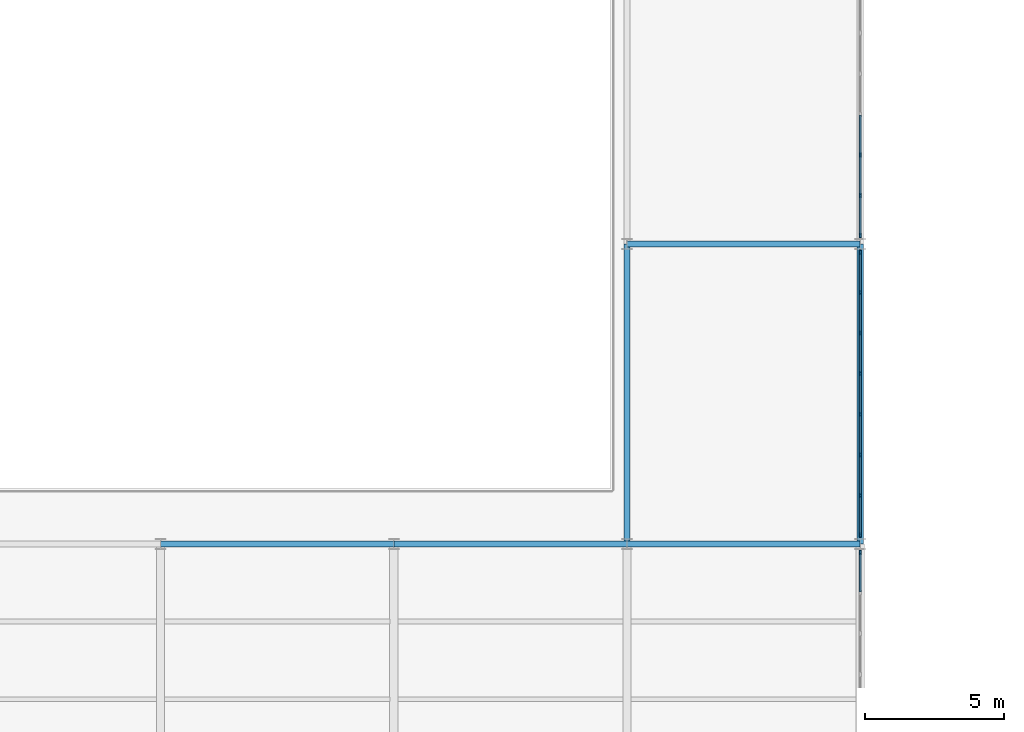
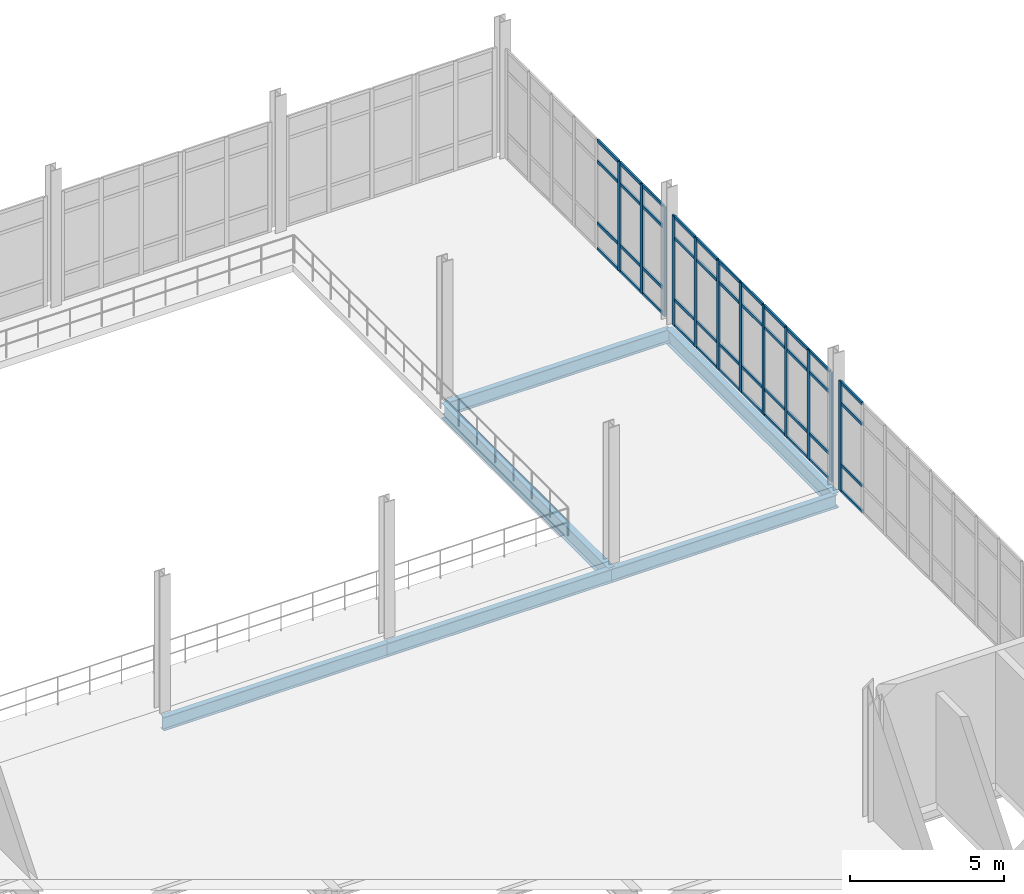
# One storey, part 58 of 111: 56 members, 6 beams, 3 elements without a shape of their own.
"""IFC4 building model written with IfcOpenShell, lengths in metres."""

from ifc_helpers import new_model, si_unit, direction, frame, origin, origin_2d, place, context, subcontext, project, spatial, rectangle, i_section, extrude, material, layer, layer_set, material_profile, profile_set, type_object, element, aggregate, save


model = new_model("IFC4")

# Units and contexts
model_context = context("Model", 3, precision=1e-05, world=origin(), true_north=direction((0.0, 1.0)))
body_context = subcontext(model_context, "Body", "Model", "MODEL_VIEW")
ifc_project = project(units=[si_unit("LENGTHUNIT", "METRE"), si_unit("AREAUNIT", "SQUARE_METRE"), si_unit("VOLUMEUNIT", "CUBIC_METRE"), si_unit("PLANEANGLEUNIT", "RADIAN"), si_unit("MASSUNIT", "GRAM", prefix="KILO"), si_unit("THERMODYNAMICTEMPERATUREUNIT", "KELVIN"), si_unit("POWERUNIT", "WATT")], contexts=[model_context])

# Site, building, storey
site_placement = place(None, origin())
site = spatial("IfcSite", under=ifc_project, at=site_placement, CompositionType="ELEMENT")
building_placement = place(site_placement, origin())
building = spatial("IfcBuilding", under=site, at=building_placement, Name="Tembeka Court Mobility Hub", CompositionType="ELEMENT")
storey_placement = place(building_placement, origin())
storey = spatial("IfcBuildingStorey", under=building, at=storey_placement, Name="L00", CompositionType="ELEMENT", Elevation=0.0)

# Beams
ifc_material_1 = material(Name="Steel S355", Category="steel")
ifc_material_profile_1 = material_profile(ifc_material_1, i_section(OverallWidth=0.22900390625, OverallDepth=0.612060546875, WebThickness=0.011962890625, FlangeThickness=0.01953125, FilletRadius=0.0126953125, at=origin_2d()), Name="UKB 610x229x125")
ifc_profile_set_1 = profile_set([ifc_material_profile_1], Name="Steel S355")
beam_type_1 = type_object("IfcBeamType", Name="BM-G02", PredefinedType="USERDEFINED", material=ifc_profile_set_1)
for number, where, z_axis, x_axis, name in (
    (1, (84.0, 97.199951171875, -0.5859375), (0.0, 1.0, 0.0), (-1.0, 0.0, 0.0), "Beam G02 (BM-L00-Y0256)"),
    (2, (92.39990234375, 97.199951171875, -0.5859375), (0.0, 1.0, 0.0), (-1.0, 0.0, 0.0), "Beam G02 (BM-L00-Y0267)"),
):
    element("IfcBeam", number, at=place(storey_placement, frame(where, z_axis=z_axis, x_axis=x_axis)), inside=storey, type_object=beam_type_1, Name=name, ObjectType="GIRDER", PredefinedType="USERDEFINED", context=body_context, shape_type="SweptSolid", body=[
        extrude(i_section(OverallWidth=0.22900390625, OverallDepth=0.612060546875, WebThickness=0.011962890625, FlangeThickness=0.01953125, FilletRadius=0.0126953125, at=origin_2d()), origin(), (0.0, 0.0, 1.0), 10.800048828125),
    ])
ifc_material_profile_2 = material_profile(ifc_material_1, i_section(OverallWidth=0.2099609375, OverallDepth=0.537109375, WebThickness=0.0107421875, FlangeThickness=0.017333984375, FilletRadius=0.0126953125, at=origin_2d()), Name="UKB 533x210x101")
ifc_profile_set_2 = profile_set([ifc_material_profile_2], Name="Steel S355")
beam_type_2 = type_object("IfcBeamType", Name="BM-G03", PredefinedType="USERDEFINED", material=ifc_profile_set_2)
beam_placement = place(storey_placement, frame((67.199951171875, 97.199951171875, -0.548583984375), z_axis=(1.0, 0.0, 0.0), x_axis=(0.0, 1.0, 0.0)))
element("IfcBeam", 3, at=beam_placement, inside=storey, type_object=beam_type_2, Name="Beam G03 (BM-L00-X0145)", ObjectType="GIRDER", PredefinedType="USERDEFINED", context=body_context, shape_type="SweptSolid", body=[
    extrude(i_section(OverallWidth=0.2099609375, OverallDepth=0.537109375, WebThickness=0.0107421875, FlangeThickness=0.017333984375, FilletRadius=0.0126953125, at=origin_2d()), origin(), (0.0, 0.0, 1.0), 8.400146484375),
])
for number, where, z_axis, x_axis, name in (
    (4, (75.60009765625, 97.199951171875, -0.548583984375), (1.0, 0.0, 0.0), (0.0, 1.0, 0.0), "Beam G03 (BM-L00-X0146)"),
    (5, (84.0, 97.199951171875, -0.548583984375), (1.0, 0.0, 0.0), (0.0, 1.0, 0.0), "Beam G03 (BM-L00-X0147)"),
    (6, (84.0, 108.0, -0.548583984375), (1.0, 0.0, 0.0), (0.0, 1.0, 0.0), "Beam G03 (BM-L00-X0152)"),
):
    element("IfcBeam", number, at=place(storey_placement, frame(where, z_axis=z_axis, x_axis=x_axis)), inside=storey, type_object=beam_type_2, Name=name, ObjectType="GIRDER", PredefinedType="USERDEFINED", context=body_context, shape_type="SweptSolid", body=[
        extrude(i_section(OverallWidth=0.2099609375, OverallDepth=0.537109375, WebThickness=0.0107421875, FlangeThickness=0.017333984375, FilletRadius=0.0126953125, at=origin_2d()), origin(), (0.0, 0.0, 1.0), 8.39990234375),
    ])

# Curtain wall, member
ifc_material_2 = material(Name="Anodised aluminium 6063-T6", Category="aluminium")
ifc_layer_1 = layer(ifc_material_2, 0.159912109375)
ifc_layer_set_1 = layer_set([ifc_layer_1], Name="Anodised aluminium 6063-T6")
curtain_wall_type_1 = type_object("IfcCurtainWallType", Name="CW-SYS19", PredefinedType="USERDEFINED", material=ifc_layer_set_1)
curtain_wall_1_placement = place(storey_placement, origin())
curtain_wall_1 = element("IfcCurtainWall", 7, at=curtain_wall_1_placement, inside=storey, type_object=curtain_wall_type_1, Name="Unitised curtain wall CW19 (CW-L00-030)", ObjectType="UNITISED GLAZING", PredefinedType="USERDEFINED")
ifc_material_profile_3 = material_profile(ifc_material_2, rectangle(XDim=0.06494140625, YDim=0.159912109375, at=origin_2d()), Name="ALU-MUL 65x160")
ifc_profile_set_3 = profile_set([ifc_material_profile_3], Name="Anodised aluminium 6063-T6")
member_type_1 = type_object("IfcMemberType", Name="CW-MUL01", PredefinedType="MULLION", material=ifc_profile_set_3)
member_1_placement = place(storey_placement, frame((92.39990234375, 96.887451171875, 0.0), z_axis=(0.0, 0.0, 1.0), x_axis=(-1.0, 0.0, 0.0)))
member_1 = element("IfcMember", 8, at=member_1_placement, type_object=member_type_1, Name="CW19 mullion 12", PredefinedType="MULLION", context=body_context, shape_type="SweptSolid", body=[
    extrude(rectangle(XDim=0.06494140625, YDim=0.159912109375, at=origin_2d()), origin(), (0.0, 0.0, 1.0), 4.3349609375),
])

# Curtain wall, members
ifc_layer_2 = layer(ifc_material_2, 0.159912109375)
ifc_layer_set_2 = layer_set([ifc_layer_2], Name="Anodised aluminium 6063-T6")
curtain_wall_type_2 = type_object("IfcCurtainWallType", Name="CW-SYS18", PredefinedType="USERDEFINED", material=ifc_layer_set_2)
curtain_wall_2_placement = place(storey_placement, origin())
curtain_wall_2 = element("IfcCurtainWall", 9, at=curtain_wall_2_placement, inside=storey, type_object=curtain_wall_type_2, Name="Unitised curtain wall CW18 (CW-L00-032)", ObjectType="UNITISED GLAZING", PredefinedType="USERDEFINED")
member_2_placement = place(storey_placement, frame((92.39990234375, 97.512451171875, 0.0), z_axis=(0.0, 0.0, 1.0), x_axis=(-1.0, 0.0, 0.0)))
member_2 = element("IfcMember", 10, at=member_2_placement, type_object=member_type_1, Name="CW18 mullion 1", PredefinedType="MULLION", context=body_context, shape_type="SweptSolid", body=[
    extrude(rectangle(XDim=0.06494140625, YDim=0.159912109375, at=origin_2d()), origin(), (0.0, 0.0, 1.0), 4.3349609375),
])
member_3_placement = place(storey_placement, frame((92.39990234375, 98.94287109375, 0.0), z_axis=(0.0, 0.0, 1.0), x_axis=(-1.0, 0.0, 0.0)))
member_3 = element("IfcMember", 11, at=member_3_placement, type_object=member_type_1, Name="CW18 mullion 2", PredefinedType="MULLION", context=body_context, shape_type="SweptSolid", body=[
    extrude(rectangle(XDim=0.06494140625, YDim=0.159912109375, at=origin_2d()), origin(), (0.0, 0.0, 1.0), 4.3349609375),
])
member_4_placement = place(storey_placement, frame((92.39990234375, 100.40576171875, 0.0), z_axis=(0.0, 0.0, 1.0), x_axis=(-1.0, 0.0, 0.0)))
member_4 = element("IfcMember", 12, at=member_4_placement, type_object=member_type_1, Name="CW18 mullion 3", PredefinedType="MULLION", context=body_context, shape_type="SweptSolid", body=[
    extrude(rectangle(XDim=0.06494140625, YDim=0.159912109375, at=origin_2d()), origin(), (0.0, 0.0, 1.0), 4.3349609375),
])
member_5_placement = place(storey_placement, frame((92.39990234375, 101.86865234375, 0.0), z_axis=(0.0, 0.0, 1.0), x_axis=(-1.0, 0.0, 0.0)))
member_5 = element("IfcMember", 13, at=member_5_placement, type_object=member_type_1, Name="CW18 mullion 4", PredefinedType="MULLION", context=body_context, shape_type="SweptSolid", body=[
    extrude(rectangle(XDim=0.06494140625, YDim=0.159912109375, at=origin_2d()), origin(), (0.0, 0.0, 1.0), 4.3349609375),
])
member_6_placement = place(storey_placement, frame((92.39990234375, 103.33154296875, 0.0), z_axis=(0.0, 0.0, 1.0), x_axis=(-1.0, 0.0, 0.0)))
member_6 = element("IfcMember", 14, at=member_6_placement, type_object=member_type_1, Name="CW18 mullion 5", PredefinedType="MULLION", context=body_context, shape_type="SweptSolid", body=[
    extrude(rectangle(XDim=0.06494140625, YDim=0.159912109375, at=origin_2d()), origin(), (0.0, 0.0, 1.0), 4.3349609375),
])
member_7_placement = place(storey_placement, frame((92.39990234375, 104.794189453125, 0.0), z_axis=(0.0, 0.0, 1.0), x_axis=(-1.0, 0.0, 0.0)))
member_7 = element("IfcMember", 15, at=member_7_placement, type_object=member_type_1, Name="CW18 mullion 6", PredefinedType="MULLION", context=body_context, shape_type="SweptSolid", body=[
    extrude(rectangle(XDim=0.06494140625, YDim=0.159912109375, at=origin_2d()), origin(), (0.0, 0.0, 1.0), 4.3349609375),
])
member_8_placement = place(storey_placement, frame((92.39990234375, 106.257080078125, 0.0), z_axis=(0.0, 0.0, 1.0), x_axis=(-1.0, 0.0, 0.0)))
member_8 = element("IfcMember", 16, at=member_8_placement, type_object=member_type_1, Name="CW18 mullion 7", PredefinedType="MULLION", context=body_context, shape_type="SweptSolid", body=[
    extrude(rectangle(XDim=0.06494140625, YDim=0.159912109375, at=origin_2d()), origin(), (0.0, 0.0, 1.0), 4.3349609375),
])
member_9_placement = place(storey_placement, frame((92.39990234375, 107.6875, 0.0), z_axis=(0.0, 0.0, 1.0), x_axis=(-1.0, 0.0, 0.0)))
member_9 = element("IfcMember", 17, at=member_9_placement, type_object=member_type_1, Name="CW18 mullion 8", PredefinedType="MULLION", context=body_context, shape_type="SweptSolid", body=[
    extrude(rectangle(XDim=0.06494140625, YDim=0.159912109375, at=origin_2d()), origin(), (0.0, 0.0, 1.0), 4.3349609375),
])

curtain_wall_3_placement = place(storey_placement, origin())
curtain_wall_3 = element("IfcCurtainWall", 18, at=curtain_wall_3_placement, inside=storey, type_object=curtain_wall_type_2, Name="Unitised curtain wall CW18 (CW-L00-034)", ObjectType="UNITISED GLAZING", PredefinedType="USERDEFINED")
member_10_placement = place(storey_placement, frame((92.39990234375, 108.3125, 0.0), z_axis=(0.0, 0.0, 1.0), x_axis=(-1.0, 0.0, 0.0)))
member_10 = element("IfcMember", 19, at=member_10_placement, type_object=member_type_1, Name="CW18 mullion 1", PredefinedType="MULLION", context=body_context, shape_type="SweptSolid", body=[
    extrude(rectangle(XDim=0.06494140625, YDim=0.159912109375, at=origin_2d()), origin(), (0.0, 0.0, 1.0), 4.3349609375),
])
member_11_placement = place(storey_placement, frame((92.39990234375, 109.742919921875, 0.0), z_axis=(0.0, 0.0, 1.0), x_axis=(-1.0, 0.0, 0.0)))
member_11 = element("IfcMember", 20, at=member_11_placement, type_object=member_type_1, Name="CW18 mullion 2", PredefinedType="MULLION", context=body_context, shape_type="SweptSolid", body=[
    extrude(rectangle(XDim=0.06494140625, YDim=0.159912109375, at=origin_2d()), origin(), (0.0, 0.0, 1.0), 4.3349609375),
])
member_12_placement = place(storey_placement, frame((92.39990234375, 111.205810546875, 0.0), z_axis=(0.0, 0.0, 1.0), x_axis=(-1.0, 0.0, 0.0)))
member_12 = element("IfcMember", 21, at=member_12_placement, type_object=member_type_1, Name="CW18 mullion 3", PredefinedType="MULLION", context=body_context, shape_type="SweptSolid", body=[
    extrude(rectangle(XDim=0.06494140625, YDim=0.159912109375, at=origin_2d()), origin(), (0.0, 0.0, 1.0), 4.3349609375),
])

# Member
ifc_material_profile_4 = material_profile(ifc_material_2, rectangle(XDim=0.06494140625, YDim=0.1201171875, at=origin_2d()), Name="ALU-TRN 65x120")
ifc_profile_set_4 = profile_set([ifc_material_profile_4], Name="Anodised aluminium 6063-T6")
member_type_2 = type_object("IfcMemberType", Name="CW-TRN01", PredefinedType="USERDEFINED", material=ifc_profile_set_4)
member_13_placement = place(storey_placement, frame((92.39990234375, 95.47607421875, 0.032470703125), z_axis=(0.0, 1.0, 0.0), x_axis=(-1.0, 0.0, 0.0)))
member_13 = element("IfcMember", 22, at=member_13_placement, type_object=member_type_2, Name="CW19 transom 11.1", ObjectType="TRANSOM", PredefinedType="USERDEFINED", context=body_context, shape_type="SweptSolid", body=[
    extrude(rectangle(XDim=0.06494140625, YDim=0.1201171875, at=origin_2d()), origin(), (0.0, 0.0, 1.0), 1.37890625),
])

member_14_placement = place(storey_placement, frame((92.39990234375, 95.47607421875, 1.050048828125), z_axis=(0.0, 1.0, 0.0), x_axis=(-1.0, 0.0, 0.0)))
member_14 = element("IfcMember", 23, at=member_14_placement, type_object=member_type_2, Name="CW19 transom 11.2", ObjectType="TRANSOM", PredefinedType="USERDEFINED", context=body_context, shape_type="SweptSolid", body=[
    extrude(rectangle(XDim=0.06494140625, YDim=0.1201171875, at=origin_2d()), origin(), (0.0, 0.0, 1.0), 1.37890625),
])

member_15_placement = place(storey_placement, frame((92.39990234375, 95.47607421875, 3.485107421875), z_axis=(0.0, 1.0, 0.0), x_axis=(-1.0, 0.0, 0.0)))
member_15 = element("IfcMember", 24, at=member_15_placement, type_object=member_type_2, Name="CW19 transom 11.3", ObjectType="TRANSOM", PredefinedType="USERDEFINED", context=body_context, shape_type="SweptSolid", body=[
    extrude(rectangle(XDim=0.06494140625, YDim=0.1201171875, at=origin_2d()), origin(), (0.0, 0.0, 1.0), 1.37890625),
])

member_16_placement = place(storey_placement, frame((92.39990234375, 95.47607421875, 4.302490234375), z_axis=(0.0, 1.0, 0.0), x_axis=(-1.0, 0.0, 0.0)))
member_16 = element("IfcMember", 25, at=member_16_placement, type_object=member_type_2, Name="CW19 transom 11.4", ObjectType="TRANSOM", PredefinedType="USERDEFINED", context=body_context, shape_type="SweptSolid", body=[
    extrude(rectangle(XDim=0.06494140625, YDim=0.1201171875, at=origin_2d()), origin(), (0.0, 0.0, 1.0), 1.37890625),
])

aggregate(curtain_wall_1, [member_1, member_13, member_14, member_15, member_16])

member_17_placement = place(storey_placement, frame((92.39990234375, 97.544921875, 0.032470703125), z_axis=(0.0, 1.0, 0.0), x_axis=(-1.0, 0.0, 0.0)))
member_17 = element("IfcMember", 26, at=member_17_placement, type_object=member_type_2, Name="CW18 transom 1.1", ObjectType="TRANSOM", PredefinedType="USERDEFINED", context=body_context, shape_type="SweptSolid", body=[
    extrude(rectangle(XDim=0.06494140625, YDim=0.1201171875, at=origin_2d()), origin(), (0.0, 0.0, 1.0), 1.365478515625),
])

member_18_placement = place(storey_placement, frame((92.39990234375, 97.544921875, 1.050048828125), z_axis=(0.0, 1.0, 0.0), x_axis=(-1.0, 0.0, 0.0)))
member_18 = element("IfcMember", 27, at=member_18_placement, type_object=member_type_2, Name="CW18 transom 1.2", ObjectType="TRANSOM", PredefinedType="USERDEFINED", context=body_context, shape_type="SweptSolid", body=[
    extrude(rectangle(XDim=0.06494140625, YDim=0.1201171875, at=origin_2d()), origin(), (0.0, 0.0, 1.0), 1.365478515625),
])

member_19_placement = place(storey_placement, frame((92.39990234375, 97.544921875, 3.485107421875), z_axis=(0.0, 1.0, 0.0), x_axis=(-1.0, 0.0, 0.0)))
member_19 = element("IfcMember", 28, at=member_19_placement, type_object=member_type_2, Name="CW18 transom 1.3", ObjectType="TRANSOM", PredefinedType="USERDEFINED", context=body_context, shape_type="SweptSolid", body=[
    extrude(rectangle(XDim=0.06494140625, YDim=0.1201171875, at=origin_2d()), origin(), (0.0, 0.0, 1.0), 1.365478515625),
])

member_20_placement = place(storey_placement, frame((92.39990234375, 97.544921875, 4.302490234375), z_axis=(0.0, 1.0, 0.0), x_axis=(-1.0, 0.0, 0.0)))
member_20 = element("IfcMember", 29, at=member_20_placement, type_object=member_type_2, Name="CW18 transom 1.4", ObjectType="TRANSOM", PredefinedType="USERDEFINED", context=body_context, shape_type="SweptSolid", body=[
    extrude(rectangle(XDim=0.06494140625, YDim=0.1201171875, at=origin_2d()), origin(), (0.0, 0.0, 1.0), 1.365478515625),
])

member_21_placement = place(storey_placement, frame((92.39990234375, 98.975341796875, 0.032470703125), z_axis=(0.0, 1.0, 0.0), x_axis=(-1.0, 0.0, 0.0)))
member_21 = element("IfcMember", 30, at=member_21_placement, type_object=member_type_2, Name="CW18 transom 2.1", ObjectType="TRANSOM", PredefinedType="USERDEFINED", context=body_context, shape_type="SweptSolid", body=[
    extrude(rectangle(XDim=0.06494140625, YDim=0.1201171875, at=origin_2d()), origin(), (0.0, 0.0, 1.0), 1.39794921875),
])

member_22_placement = place(storey_placement, frame((92.39990234375, 98.975341796875, 1.050048828125), z_axis=(0.0, 1.0, 0.0), x_axis=(-1.0, 0.0, 0.0)))
member_22 = element("IfcMember", 31, at=member_22_placement, type_object=member_type_2, Name="CW18 transom 2.2", ObjectType="TRANSOM", PredefinedType="USERDEFINED", context=body_context, shape_type="SweptSolid", body=[
    extrude(rectangle(XDim=0.06494140625, YDim=0.1201171875, at=origin_2d()), origin(), (0.0, 0.0, 1.0), 1.39794921875),
])

member_23_placement = place(storey_placement, frame((92.39990234375, 98.975341796875, 3.485107421875), z_axis=(0.0, 1.0, 0.0), x_axis=(-1.0, 0.0, 0.0)))
member_23 = element("IfcMember", 32, at=member_23_placement, type_object=member_type_2, Name="CW18 transom 2.3", ObjectType="TRANSOM", PredefinedType="USERDEFINED", context=body_context, shape_type="SweptSolid", body=[
    extrude(rectangle(XDim=0.06494140625, YDim=0.1201171875, at=origin_2d()), origin(), (0.0, 0.0, 1.0), 1.39794921875),
])

member_24_placement = place(storey_placement, frame((92.39990234375, 98.975341796875, 4.302490234375), z_axis=(0.0, 1.0, 0.0), x_axis=(-1.0, 0.0, 0.0)))
member_24 = element("IfcMember", 33, at=member_24_placement, type_object=member_type_2, Name="CW18 transom 2.4", ObjectType="TRANSOM", PredefinedType="USERDEFINED", context=body_context, shape_type="SweptSolid", body=[
    extrude(rectangle(XDim=0.06494140625, YDim=0.1201171875, at=origin_2d()), origin(), (0.0, 0.0, 1.0), 1.39794921875),
])

member_25_placement = place(storey_placement, frame((92.39990234375, 100.438232421875, 0.032470703125), z_axis=(0.0, 1.0, 0.0), x_axis=(-1.0, 0.0, 0.0)))
member_25 = element("IfcMember", 34, at=member_25_placement, type_object=member_type_2, Name="CW18 transom 3.1", ObjectType="TRANSOM", PredefinedType="USERDEFINED", context=body_context, shape_type="SweptSolid", body=[
    extrude(rectangle(XDim=0.06494140625, YDim=0.1201171875, at=origin_2d()), origin(), (0.0, 0.0, 1.0), 1.39794921875),
])

member_26_placement = place(storey_placement, frame((92.39990234375, 100.438232421875, 1.050048828125), z_axis=(0.0, 1.0, 0.0), x_axis=(-1.0, 0.0, 0.0)))
member_26 = element("IfcMember", 35, at=member_26_placement, type_object=member_type_2, Name="CW18 transom 3.2", ObjectType="TRANSOM", PredefinedType="USERDEFINED", context=body_context, shape_type="SweptSolid", body=[
    extrude(rectangle(XDim=0.06494140625, YDim=0.1201171875, at=origin_2d()), origin(), (0.0, 0.0, 1.0), 1.39794921875),
])

member_27_placement = place(storey_placement, frame((92.39990234375, 100.438232421875, 3.485107421875), z_axis=(0.0, 1.0, 0.0), x_axis=(-1.0, 0.0, 0.0)))
member_27 = element("IfcMember", 36, at=member_27_placement, type_object=member_type_2, Name="CW18 transom 3.3", ObjectType="TRANSOM", PredefinedType="USERDEFINED", context=body_context, shape_type="SweptSolid", body=[
    extrude(rectangle(XDim=0.06494140625, YDim=0.1201171875, at=origin_2d()), origin(), (0.0, 0.0, 1.0), 1.39794921875),
])

member_28_placement = place(storey_placement, frame((92.39990234375, 100.438232421875, 4.302490234375), z_axis=(0.0, 1.0, 0.0), x_axis=(-1.0, 0.0, 0.0)))
member_28 = element("IfcMember", 37, at=member_28_placement, type_object=member_type_2, Name="CW18 transom 3.4", ObjectType="TRANSOM", PredefinedType="USERDEFINED", context=body_context, shape_type="SweptSolid", body=[
    extrude(rectangle(XDim=0.06494140625, YDim=0.1201171875, at=origin_2d()), origin(), (0.0, 0.0, 1.0), 1.39794921875),
])

member_29_placement = place(storey_placement, frame((92.39990234375, 101.901123046875, 0.032470703125), z_axis=(0.0, 1.0, 0.0), x_axis=(-1.0, 0.0, 0.0)))
member_29 = element("IfcMember", 38, at=member_29_placement, type_object=member_type_2, Name="CW18 transom 4.1", ObjectType="TRANSOM", PredefinedType="USERDEFINED", context=body_context, shape_type="SweptSolid", body=[
    extrude(rectangle(XDim=0.06494140625, YDim=0.1201171875, at=origin_2d()), origin(), (0.0, 0.0, 1.0), 1.397705078125),
])

member_30_placement = place(storey_placement, frame((92.39990234375, 101.901123046875, 1.050048828125), z_axis=(0.0, 1.0, 0.0), x_axis=(-1.0, 0.0, 0.0)))
member_30 = element("IfcMember", 39, at=member_30_placement, type_object=member_type_2, Name="CW18 transom 4.2", ObjectType="TRANSOM", PredefinedType="USERDEFINED", context=body_context, shape_type="SweptSolid", body=[
    extrude(rectangle(XDim=0.06494140625, YDim=0.1201171875, at=origin_2d()), origin(), (0.0, 0.0, 1.0), 1.397705078125),
])

member_31_placement = place(storey_placement, frame((92.39990234375, 101.901123046875, 3.485107421875), z_axis=(0.0, 1.0, 0.0), x_axis=(-1.0, 0.0, 0.0)))
member_31 = element("IfcMember", 40, at=member_31_placement, type_object=member_type_2, Name="CW18 transom 4.3", ObjectType="TRANSOM", PredefinedType="USERDEFINED", context=body_context, shape_type="SweptSolid", body=[
    extrude(rectangle(XDim=0.06494140625, YDim=0.1201171875, at=origin_2d()), origin(), (0.0, 0.0, 1.0), 1.397705078125),
])

member_32_placement = place(storey_placement, frame((92.39990234375, 101.901123046875, 4.302490234375), z_axis=(0.0, 1.0, 0.0), x_axis=(-1.0, 0.0, 0.0)))
member_32 = element("IfcMember", 41, at=member_32_placement, type_object=member_type_2, Name="CW18 transom 4.4", ObjectType="TRANSOM", PredefinedType="USERDEFINED", context=body_context, shape_type="SweptSolid", body=[
    extrude(rectangle(XDim=0.06494140625, YDim=0.1201171875, at=origin_2d()), origin(), (0.0, 0.0, 1.0), 1.397705078125),
])

member_33_placement = place(storey_placement, frame((92.39990234375, 103.364013671875, 0.032470703125), z_axis=(0.0, 1.0, 0.0), x_axis=(-1.0, 0.0, 0.0)))
member_33 = element("IfcMember", 42, at=member_33_placement, type_object=member_type_2, Name="CW18 transom 5.1", ObjectType="TRANSOM", PredefinedType="USERDEFINED", context=body_context, shape_type="SweptSolid", body=[
    extrude(rectangle(XDim=0.06494140625, YDim=0.1201171875, at=origin_2d()), origin(), (0.0, 0.0, 1.0), 1.397705078125),
])

member_34_placement = place(storey_placement, frame((92.39990234375, 103.364013671875, 1.050048828125), z_axis=(0.0, 1.0, 0.0), x_axis=(-1.0, 0.0, 0.0)))
member_34 = element("IfcMember", 43, at=member_34_placement, type_object=member_type_2, Name="CW18 transom 5.2", ObjectType="TRANSOM", PredefinedType="USERDEFINED", context=body_context, shape_type="SweptSolid", body=[
    extrude(rectangle(XDim=0.06494140625, YDim=0.1201171875, at=origin_2d()), origin(), (0.0, 0.0, 1.0), 1.397705078125),
])

member_35_placement = place(storey_placement, frame((92.39990234375, 103.364013671875, 3.485107421875), z_axis=(0.0, 1.0, 0.0), x_axis=(-1.0, 0.0, 0.0)))
member_35 = element("IfcMember", 44, at=member_35_placement, type_object=member_type_2, Name="CW18 transom 5.3", ObjectType="TRANSOM", PredefinedType="USERDEFINED", context=body_context, shape_type="SweptSolid", body=[
    extrude(rectangle(XDim=0.06494140625, YDim=0.1201171875, at=origin_2d()), origin(), (0.0, 0.0, 1.0), 1.397705078125),
])

member_36_placement = place(storey_placement, frame((92.39990234375, 103.364013671875, 4.302490234375), z_axis=(0.0, 1.0, 0.0), x_axis=(-1.0, 0.0, 0.0)))
member_36 = element("IfcMember", 45, at=member_36_placement, type_object=member_type_2, Name="CW18 transom 5.4", ObjectType="TRANSOM", PredefinedType="USERDEFINED", context=body_context, shape_type="SweptSolid", body=[
    extrude(rectangle(XDim=0.06494140625, YDim=0.1201171875, at=origin_2d()), origin(), (0.0, 0.0, 1.0), 1.397705078125),
])

member_37_placement = place(storey_placement, frame((92.39990234375, 104.826904296875, 0.032470703125), z_axis=(0.0, 1.0, 0.0), x_axis=(-1.0, 0.0, 0.0)))
member_37 = element("IfcMember", 46, at=member_37_placement, type_object=member_type_2, Name="CW18 transom 6.1", ObjectType="TRANSOM", PredefinedType="USERDEFINED", context=body_context, shape_type="SweptSolid", body=[
    extrude(rectangle(XDim=0.06494140625, YDim=0.1201171875, at=origin_2d()), origin(), (0.0, 0.0, 1.0), 1.397705078125),
])

member_38_placement = place(storey_placement, frame((92.39990234375, 104.826904296875, 1.050048828125), z_axis=(0.0, 1.0, 0.0), x_axis=(-1.0, 0.0, 0.0)))
member_38 = element("IfcMember", 47, at=member_38_placement, type_object=member_type_2, Name="CW18 transom 6.2", ObjectType="TRANSOM", PredefinedType="USERDEFINED", context=body_context, shape_type="SweptSolid", body=[
    extrude(rectangle(XDim=0.06494140625, YDim=0.1201171875, at=origin_2d()), origin(), (0.0, 0.0, 1.0), 1.397705078125),
])

member_39_placement = place(storey_placement, frame((92.39990234375, 104.826904296875, 3.485107421875), z_axis=(0.0, 1.0, 0.0), x_axis=(-1.0, 0.0, 0.0)))
member_39 = element("IfcMember", 48, at=member_39_placement, type_object=member_type_2, Name="CW18 transom 6.3", ObjectType="TRANSOM", PredefinedType="USERDEFINED", context=body_context, shape_type="SweptSolid", body=[
    extrude(rectangle(XDim=0.06494140625, YDim=0.1201171875, at=origin_2d()), origin(), (0.0, 0.0, 1.0), 1.397705078125),
])

member_40_placement = place(storey_placement, frame((92.39990234375, 104.826904296875, 4.302490234375), z_axis=(0.0, 1.0, 0.0), x_axis=(-1.0, 0.0, 0.0)))
member_40 = element("IfcMember", 49, at=member_40_placement, type_object=member_type_2, Name="CW18 transom 6.4", ObjectType="TRANSOM", PredefinedType="USERDEFINED", context=body_context, shape_type="SweptSolid", body=[
    extrude(rectangle(XDim=0.06494140625, YDim=0.1201171875, at=origin_2d()), origin(), (0.0, 0.0, 1.0), 1.397705078125),
])

member_41_placement = place(storey_placement, frame((92.39990234375, 106.28955078125, 0.032470703125), z_axis=(0.0, 1.0, 0.0), x_axis=(-1.0, 0.0, 0.0)))
member_41 = element("IfcMember", 50, at=member_41_placement, type_object=member_type_2, Name="CW18 transom 7.1", ObjectType="TRANSOM", PredefinedType="USERDEFINED", context=body_context, shape_type="SweptSolid", body=[
    extrude(rectangle(XDim=0.06494140625, YDim=0.1201171875, at=origin_2d()), origin(), (0.0, 0.0, 1.0), 1.365478515625),
])

member_42_placement = place(storey_placement, frame((92.39990234375, 106.28955078125, 1.050048828125), z_axis=(0.0, 1.0, 0.0), x_axis=(-1.0, 0.0, 0.0)))
member_42 = element("IfcMember", 51, at=member_42_placement, type_object=member_type_2, Name="CW18 transom 7.2", ObjectType="TRANSOM", PredefinedType="USERDEFINED", context=body_context, shape_type="SweptSolid", body=[
    extrude(rectangle(XDim=0.06494140625, YDim=0.1201171875, at=origin_2d()), origin(), (0.0, 0.0, 1.0), 1.365478515625),
])

member_43_placement = place(storey_placement, frame((92.39990234375, 106.28955078125, 3.485107421875), z_axis=(0.0, 1.0, 0.0), x_axis=(-1.0, 0.0, 0.0)))
member_43 = element("IfcMember", 52, at=member_43_placement, type_object=member_type_2, Name="CW18 transom 7.3", ObjectType="TRANSOM", PredefinedType="USERDEFINED", context=body_context, shape_type="SweptSolid", body=[
    extrude(rectangle(XDim=0.06494140625, YDim=0.1201171875, at=origin_2d()), origin(), (0.0, 0.0, 1.0), 1.365478515625),
])

member_44_placement = place(storey_placement, frame((92.39990234375, 106.28955078125, 4.302490234375), z_axis=(0.0, 1.0, 0.0), x_axis=(-1.0, 0.0, 0.0)))
member_44 = element("IfcMember", 53, at=member_44_placement, type_object=member_type_2, Name="CW18 transom 7.4", ObjectType="TRANSOM", PredefinedType="USERDEFINED", context=body_context, shape_type="SweptSolid", body=[
    extrude(rectangle(XDim=0.06494140625, YDim=0.1201171875, at=origin_2d()), origin(), (0.0, 0.0, 1.0), 1.365478515625),
])

aggregate(curtain_wall_2, [member_2, member_3, member_4, member_5, member_6, member_7, member_8, member_9, member_17, member_18, member_19, member_20, member_21, member_22, member_23, member_24, member_25, member_26, member_27, member_28, member_29, member_30, member_31, member_32, member_33, member_34, member_35, member_36, member_37, member_38, member_39, member_40, member_41, member_42, member_43, member_44])

member_45_placement = place(storey_placement, frame((92.39990234375, 108.344970703125, 0.032470703125), z_axis=(0.0, 1.0, 0.0), x_axis=(-1.0, 0.0, 0.0)))
member_45 = element("IfcMember", 54, at=member_45_placement, type_object=member_type_2, Name="CW18 transom 1.1", ObjectType="TRANSOM", PredefinedType="USERDEFINED", context=body_context, shape_type="SweptSolid", body=[
    extrude(rectangle(XDim=0.06494140625, YDim=0.1201171875, at=origin_2d()), origin(), (0.0, 0.0, 1.0), 1.365478515625),
])

member_46_placement = place(storey_placement, frame((92.39990234375, 108.344970703125, 1.050048828125), z_axis=(0.0, 1.0, 0.0), x_axis=(-1.0, 0.0, 0.0)))
member_46 = element("IfcMember", 55, at=member_46_placement, type_object=member_type_2, Name="CW18 transom 1.2", ObjectType="TRANSOM", PredefinedType="USERDEFINED", context=body_context, shape_type="SweptSolid", body=[
    extrude(rectangle(XDim=0.06494140625, YDim=0.1201171875, at=origin_2d()), origin(), (0.0, 0.0, 1.0), 1.365478515625),
])

member_47_placement = place(storey_placement, frame((92.39990234375, 108.344970703125, 3.485107421875), z_axis=(0.0, 1.0, 0.0), x_axis=(-1.0, 0.0, 0.0)))
member_47 = element("IfcMember", 56, at=member_47_placement, type_object=member_type_2, Name="CW18 transom 1.3", ObjectType="TRANSOM", PredefinedType="USERDEFINED", context=body_context, shape_type="SweptSolid", body=[
    extrude(rectangle(XDim=0.06494140625, YDim=0.1201171875, at=origin_2d()), origin(), (0.0, 0.0, 1.0), 1.365478515625),
])

member_48_placement = place(storey_placement, frame((92.39990234375, 108.344970703125, 4.302490234375), z_axis=(0.0, 1.0, 0.0), x_axis=(-1.0, 0.0, 0.0)))
member_48 = element("IfcMember", 57, at=member_48_placement, type_object=member_type_2, Name="CW18 transom 1.4", ObjectType="TRANSOM", PredefinedType="USERDEFINED", context=body_context, shape_type="SweptSolid", body=[
    extrude(rectangle(XDim=0.06494140625, YDim=0.1201171875, at=origin_2d()), origin(), (0.0, 0.0, 1.0), 1.365478515625),
])

member_49_placement = place(storey_placement, frame((92.39990234375, 109.775390625, 0.032470703125), z_axis=(0.0, 1.0, 0.0), x_axis=(-1.0, 0.0, 0.0)))
member_49 = element("IfcMember", 58, at=member_49_placement, type_object=member_type_2, Name="CW18 transom 2.1", ObjectType="TRANSOM", PredefinedType="USERDEFINED", context=body_context, shape_type="SweptSolid", body=[
    extrude(rectangle(XDim=0.06494140625, YDim=0.1201171875, at=origin_2d()), origin(), (0.0, 0.0, 1.0), 1.397705078125),
])

member_50_placement = place(storey_placement, frame((92.39990234375, 109.775390625, 1.050048828125), z_axis=(0.0, 1.0, 0.0), x_axis=(-1.0, 0.0, 0.0)))
member_50 = element("IfcMember", 59, at=member_50_placement, type_object=member_type_2, Name="CW18 transom 2.2", ObjectType="TRANSOM", PredefinedType="USERDEFINED", context=body_context, shape_type="SweptSolid", body=[
    extrude(rectangle(XDim=0.06494140625, YDim=0.1201171875, at=origin_2d()), origin(), (0.0, 0.0, 1.0), 1.397705078125),
])

member_51_placement = place(storey_placement, frame((92.39990234375, 109.775390625, 3.485107421875), z_axis=(0.0, 1.0, 0.0), x_axis=(-1.0, 0.0, 0.0)))
member_51 = element("IfcMember", 60, at=member_51_placement, type_object=member_type_2, Name="CW18 transom 2.3", ObjectType="TRANSOM", PredefinedType="USERDEFINED", context=body_context, shape_type="SweptSolid", body=[
    extrude(rectangle(XDim=0.06494140625, YDim=0.1201171875, at=origin_2d()), origin(), (0.0, 0.0, 1.0), 1.397705078125),
])

member_52_placement = place(storey_placement, frame((92.39990234375, 109.775390625, 4.302490234375), z_axis=(0.0, 1.0, 0.0), x_axis=(-1.0, 0.0, 0.0)))
member_52 = element("IfcMember", 61, at=member_52_placement, type_object=member_type_2, Name="CW18 transom 2.4", ObjectType="TRANSOM", PredefinedType="USERDEFINED", context=body_context, shape_type="SweptSolid", body=[
    extrude(rectangle(XDim=0.06494140625, YDim=0.1201171875, at=origin_2d()), origin(), (0.0, 0.0, 1.0), 1.397705078125),
])

member_53_placement = place(storey_placement, frame((92.39990234375, 111.23828125, 0.032470703125), z_axis=(0.0, 1.0, 0.0), x_axis=(-1.0, 0.0, 0.0)))
member_53 = element("IfcMember", 62, at=member_53_placement, type_object=member_type_2, Name="CW18 transom 3.1", ObjectType="TRANSOM", PredefinedType="USERDEFINED", context=body_context, shape_type="SweptSolid", body=[
    extrude(rectangle(XDim=0.06494140625, YDim=0.1201171875, at=origin_2d()), origin(), (0.0, 0.0, 1.0), 1.397705078125),
])

member_54_placement = place(storey_placement, frame((92.39990234375, 111.23828125, 1.050048828125), z_axis=(0.0, 1.0, 0.0), x_axis=(-1.0, 0.0, 0.0)))
member_54 = element("IfcMember", 63, at=member_54_placement, type_object=member_type_2, Name="CW18 transom 3.2", ObjectType="TRANSOM", PredefinedType="USERDEFINED", context=body_context, shape_type="SweptSolid", body=[
    extrude(rectangle(XDim=0.06494140625, YDim=0.1201171875, at=origin_2d()), origin(), (0.0, 0.0, 1.0), 1.397705078125),
])

member_55_placement = place(storey_placement, frame((92.39990234375, 111.23828125, 3.485107421875), z_axis=(0.0, 1.0, 0.0), x_axis=(-1.0, 0.0, 0.0)))
member_55 = element("IfcMember", 64, at=member_55_placement, type_object=member_type_2, Name="CW18 transom 3.3", ObjectType="TRANSOM", PredefinedType="USERDEFINED", context=body_context, shape_type="SweptSolid", body=[
    extrude(rectangle(XDim=0.06494140625, YDim=0.1201171875, at=origin_2d()), origin(), (0.0, 0.0, 1.0), 1.397705078125),
])

member_56_placement = place(storey_placement, frame((92.39990234375, 111.23828125, 4.302490234375), z_axis=(0.0, 1.0, 0.0), x_axis=(-1.0, 0.0, 0.0)))
member_56 = element("IfcMember", 65, at=member_56_placement, type_object=member_type_2, Name="CW18 transom 3.4", ObjectType="TRANSOM", PredefinedType="USERDEFINED", context=body_context, shape_type="SweptSolid", body=[
    extrude(rectangle(XDim=0.06494140625, YDim=0.1201171875, at=origin_2d()), origin(), (0.0, 0.0, 1.0), 1.397705078125),
])

aggregate(curtain_wall_3, [member_10, member_11, member_12, member_45, member_46, member_47, member_48, member_49, member_50, member_51, member_52, member_53, member_54, member_55, member_56])

save(model, "model.ifc")
